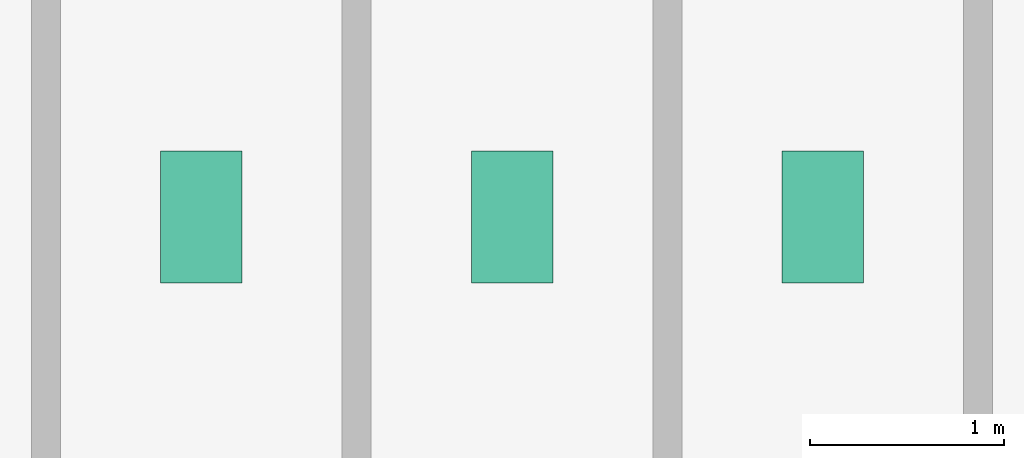
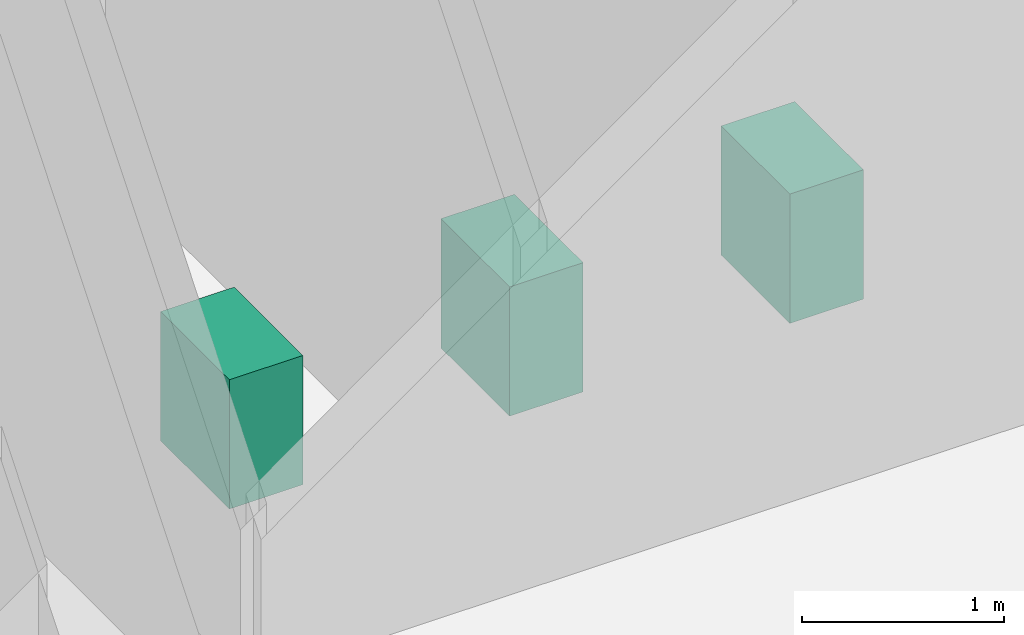
# One storey, part 22 of 22: 3 sanitary terminals.
"""IFC4 building model written with IfcOpenShell, lengths in metres."""

from ifc_helpers import new_model, si_unit, derived_unit, direction, frame, origin, origin_2d, place, context, subcontext, project, spatial, rectangle, extrude, source, transform, mapped, material, type_object, element, save


model = new_model("IFC4")

# Units and contexts
model_context = context("Model", 3, precision=1e-05, world=origin(), true_north=direction((0.0, 1.0)))
body_context = subcontext(model_context, "Body", "Model", "MODEL_VIEW")
ifc_project = project(units=[si_unit("LENGTHUNIT", "METRE"), si_unit("AREAUNIT", "SQUARE_METRE"), si_unit("VOLUMEUNIT", "CUBIC_METRE"), si_unit("PLANEANGLEUNIT", "RADIAN"), si_unit("MASSUNIT", "GRAM", prefix="KILO"), derived_unit("THERMALTRANSMITTANCEUNIT", [(si_unit("POWERUNIT", "WATT"), 1), (si_unit("LENGTHUNIT", "METRE"), -2), (si_unit("THERMODYNAMICTEMPERATUREUNIT", "KELVIN"), -1)])], contexts=[model_context])

# Site, building, storey
site_placement = place(None, origin())
site = spatial("IfcSite", under=ifc_project, at=site_placement, CompositionType="ELEMENT")
building_placement = place(site_placement, origin())
building = spatial("IfcBuilding", under=site, at=building_placement, Name="Skarnbrae Concourse Arena and Tower", CompositionType="ELEMENT")
storey_placement = place(building_placement, frame((0.0, 0.0, 284.35009765625)))
storey = spatial("IfcBuildingStorey", under=building, at=storey_placement, Name="L74", CompositionType="ELEMENT", Elevation=284.35009765625)

# Sanitary terminals
ifc_material = material(Name="Vitreous china sanitaryware", Category="other")
sanitary_terminal_type = type_object("IfcSanitaryTerminalType", Name="SAN-WC-VITREOUS", PredefinedType="TOILETPAN", material=ifc_material)
shared_shape = source(origin(), body_context, "Body", "SweptSolid", [
    extrude(rectangle(XDim=0.419921875, YDim=0.679931640625, at=origin_2d()), origin(), (0.0, 0.0, 1.0), 0.780029296875),
])
for number, where, z_axis, x_axis, name in (
    (1, (35.0, 11.39990234375, 0.0), (0.0, 0.0, 1.0), (1.0, 0.0, 0.0), "L74 Washroom WC fixture 1"),
    (2, (36.60009765625, 11.39990234375, 0.0), (0.0, 0.0, 1.0), (1.0, 0.0, 0.0), "L74 Washroom WC fixture 2"),
    (3, (38.199951171875, 11.39990234375, 0.0), (0.0, 0.0, 1.0), (1.0, 0.0, 0.0), "L74 Washroom WC fixture 3"),
):
    element("IfcSanitaryTerminal", number, at=place(storey_placement, frame(where, z_axis=z_axis, x_axis=x_axis)), inside=storey, type_object=sanitary_terminal_type, Name=name, PredefinedType="TOILETPAN", context=body_context, shape_type="MappedRepresentation", body=[
        mapped(shared_shape, transform((0.0, 0.0, 0.0))),
    ])

save(model, "model.ifc")
